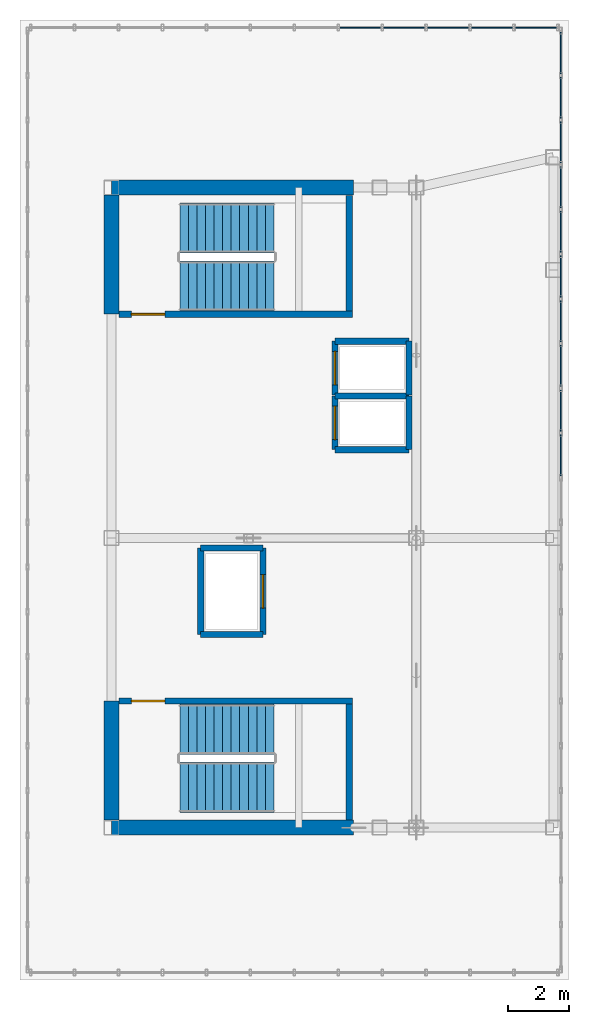
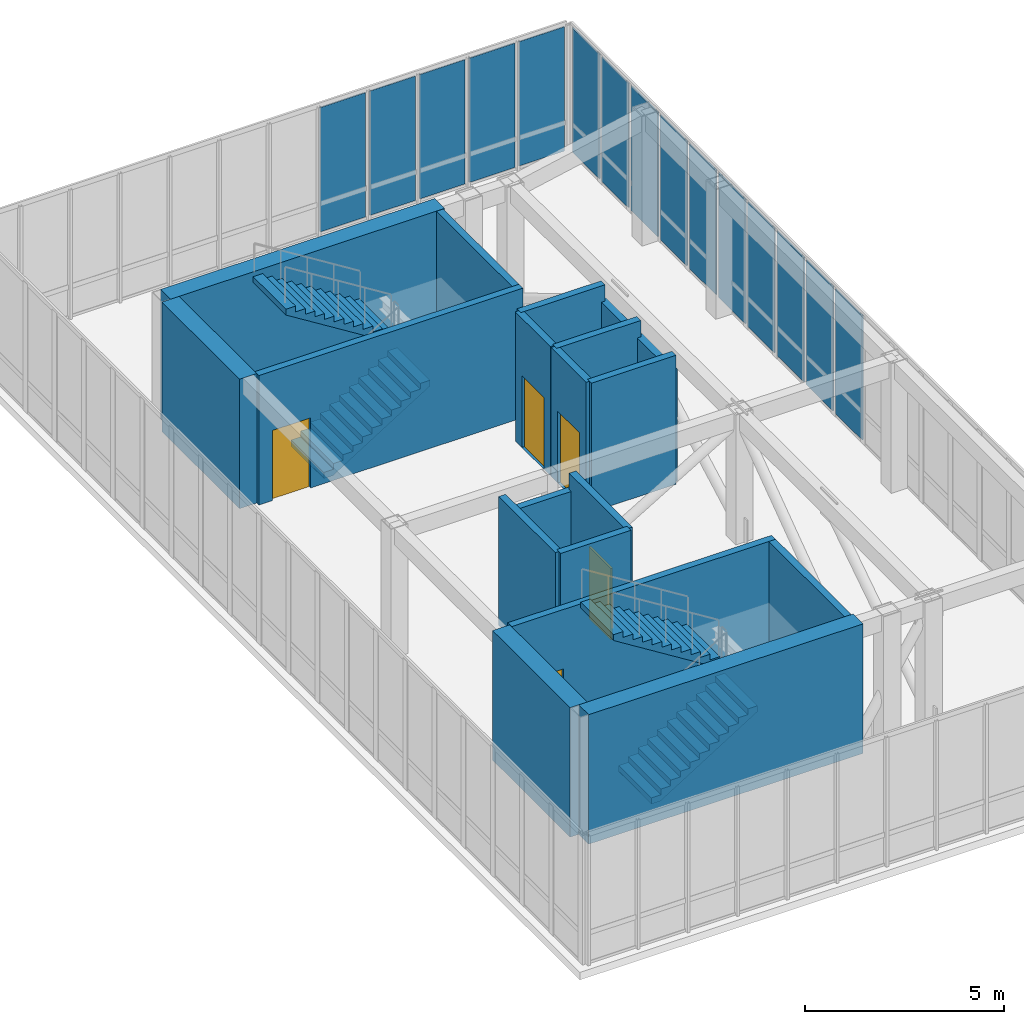
# One storey, part 12 of 13: 19 walls, 15 plates, 5 doors, 4 stair flights, 5 openings, 4 elements without a shape of their own.
"""IFC4 building model written with IfcOpenShell, lengths in metres."""

from ifc_helpers import new_model, si_unit, direction, frame, frame_2d, origin, origin_2d, place, context, subcontext, project, spatial, polyline, rectangle, outline, extrude, source, transform, mapped, material, layer, layer_set, type_object, element, fill, aggregate, save


model = new_model("IFC4")

# Units and contexts
model_context = context("Model", 3, precision=1e-05, world=origin(), true_north=direction((0.0, 1.0)))
body_context = subcontext(model_context, "Body", "Model", "MODEL_VIEW")
ifc_project = project(units=[si_unit("LENGTHUNIT", "METRE"), si_unit("AREAUNIT", "SQUARE_METRE"), si_unit("VOLUMEUNIT", "CUBIC_METRE"), si_unit("PLANEANGLEUNIT", "RADIAN"), si_unit("MASSUNIT", "GRAM", prefix="KILO")], contexts=[model_context])

# Site, building, storey
site_placement = place(None, origin())
site = spatial("IfcSite", under=ifc_project, at=site_placement, CompositionType="ELEMENT")
building_placement = place(site_placement, origin())
building = spatial("IfcBuilding", under=site, at=building_placement, Name="Kharzan Plaza Tower", CompositionType="ELEMENT")
storey_placement = place(building_placement, frame((0.0, 0.0, 277.199951171875)))
storey = spatial("IfcBuildingStorey", under=building, at=storey_placement, Name="L75-CROWN", CompositionType="ELEMENT", Elevation=277.199951171875)

# Curtain wall, plates
ifc_material_1 = material(Name="Unitised Bronze-Anodized Aluminium and Low-E Glass", Category="aluminium")
ifc_layer_1 = layer(ifc_material_1, 0.199951171875)
ifc_layer_set_1 = layer_set([ifc_layer_1], Name="Unitised Bronze-Anodized Aluminium and Low-E Glass")
curtain_wall_type = type_object("IfcCurtainWallType", Name="CW-LANTERN-6", PredefinedType="NOTDEFINED", material=ifc_layer_set_1)
curtain_wall_1_placement = place(storey_placement, origin())
curtain_wall_1 = element("IfcCurtainWall", 1, at=curtain_wall_1_placement, inside=storey, type_object=curtain_wall_type, Name="L75-CROWN Lantern Crown Illuminated Curtain Wall 3", PredefinedType="NOTDEFINED")
ifc_material_2 = material(Name="Low-Iron Fritted Lantern Crown Glazing", Category="glass")
ifc_layer_2 = layer(ifc_material_2, 0.035888671875)
ifc_layer_set_2 = layer_set([ifc_layer_2], Name="Low-Iron Fritted Lantern Crown Glazing")
plate_type = type_object("IfcPlateType", Name="PLT-CW-LANTERN", PredefinedType="CURTAIN_PANEL", material=ifc_layer_set_2)
shared_shape_1 = source(origin(), body_context, "Body", "SweptSolid", [
    extrude(rectangle(XDim=1.32177734375, YDim=0.035888671875, at=origin_2d()), origin(), (0.0, 0.0, 1.0), 3.81005859375),
])
plate_1_placement = place(storey_placement, frame((18.42919921875, 34.75, 0.080078125), z_axis=(0.0, 0.0, 1.0), x_axis=(-1.0, 0.0, 0.0)))
plate_1 = element("IfcPlate", 2, at=plate_1_placement, type_object=plate_type, Name="L75-CROWN Curtain-Wall Glazed Panel 00", PredefinedType="CURTAIN_PANEL", context=body_context, shape_type="MappedRepresentation", body=[
    mapped(shared_shape_1, transform((0.0, 0.0, 0.0), x_axis=(1.0, 0.0, 0.0), y_axis=(0.0, 1.0, 0.0), z_axis=(0.0, 0.0, 1.0))),
])
plate_2_placement = place(storey_placement, frame((16.987548828125, 34.75, 0.080078125), z_axis=(0.0, 0.0, 1.0), x_axis=(-1.0, 0.0, 0.0)))
plate_2 = element("IfcPlate", 3, at=plate_2_placement, type_object=plate_type, Name="L75-CROWN Curtain-Wall Glazed Panel 01", PredefinedType="CURTAIN_PANEL", context=body_context, shape_type="MappedRepresentation", body=[
    mapped(shared_shape_1, transform((0.0, 0.0, 0.0), x_axis=(1.0, 0.0, 0.0), y_axis=(0.0, 1.0, 0.0), z_axis=(0.0, 0.0, 1.0))),
])
plate_3_placement = place(storey_placement, frame((15.5458984375, 34.75, 0.080078125), z_axis=(0.0, 0.0, 1.0), x_axis=(-1.0, 0.0, 0.0)))
plate_3 = element("IfcPlate", 4, at=plate_3_placement, type_object=plate_type, Name="L75-CROWN Curtain-Wall Glazed Panel 02", PredefinedType="CURTAIN_PANEL", context=body_context, shape_type="MappedRepresentation", body=[
    mapped(shared_shape_1, transform((0.0, 0.0, 0.0), x_axis=(1.0, 0.0, 0.0), y_axis=(0.0, 1.0, 0.0), z_axis=(0.0, 0.0, 1.0))),
])
plate_4_placement = place(storey_placement, frame((14.104248046875, 34.75, 0.080078125), z_axis=(0.0, 0.0, 1.0), x_axis=(-1.0, 0.0, 0.0)))
plate_4 = element("IfcPlate", 5, at=plate_4_placement, type_object=plate_type, Name="L75-CROWN Curtain-Wall Glazed Panel 03", PredefinedType="CURTAIN_PANEL", context=body_context, shape_type="MappedRepresentation", body=[
    mapped(shared_shape_1, transform((0.0, 0.0, 0.0), x_axis=(1.0, 0.0, 0.0), y_axis=(0.0, 1.0, 0.0), z_axis=(0.0, 0.0, 1.0))),
])
plate_5_placement = place(storey_placement, frame((12.66259765625, 34.75, 0.080078125), z_axis=(0.0, 0.0, 1.0), x_axis=(-1.0, 0.0, 0.0)))
plate_5 = element("IfcPlate", 6, at=plate_5_placement, type_object=plate_type, Name="L75-CROWN Curtain-Wall Glazed Panel 04", PredefinedType="CURTAIN_PANEL", context=body_context, shape_type="MappedRepresentation", body=[
    mapped(shared_shape_1, transform((0.0, 0.0, 0.0), x_axis=(1.0, 0.0, 0.0), y_axis=(0.0, 1.0, 0.0), z_axis=(0.0, 0.0, 1.0))),
])
aggregate(curtain_wall_1, [plate_1, plate_2, plate_3, plate_4, plate_5])

curtain_wall_2_placement = place(storey_placement, origin())
curtain_wall_2 = element("IfcCurtainWall", 7, at=curtain_wall_2_placement, inside=storey, type_object=curtain_wall_type, Name="L75-CROWN Lantern Crown Illuminated Curtain Wall 2", PredefinedType="NOTDEFINED")
shared_shape_2 = source(origin(), body_context, "Body", "SweptSolid", [
    extrude(rectangle(XDim=1.3466796875, YDim=0.035888671875, at=origin_2d()), origin(), (0.0, 0.0, 1.0), 3.81005859375),
])
plate_6_placement = place(storey_placement, frame((19.25, 20.716796875, 0.080078125), z_axis=(0.0, 0.0, 1.0), x_axis=(0.0, 1.0, 0.0)))
plate_6 = element("IfcPlate", 8, at=plate_6_placement, type_object=plate_type, Name="L75-CROWN Curtain-Wall Glazed Panel 11", PredefinedType="CURTAIN_PANEL", context=body_context, shape_type="MappedRepresentation", body=[
    mapped(shared_shape_2, transform((0.0, 0.0, 0.0), x_axis=(1.0, 0.0, 0.0), y_axis=(0.0, 1.0, 0.0), z_axis=(0.0, 0.0, 1.0))),
])
plate_7_placement = place(storey_placement, frame((19.25, 22.183349609375, 0.080078125), z_axis=(0.0, 0.0, 1.0), x_axis=(0.0, 1.0, 0.0)))
plate_7 = element("IfcPlate", 9, at=plate_7_placement, type_object=plate_type, Name="L75-CROWN Curtain-Wall Glazed Panel 12", PredefinedType="CURTAIN_PANEL", context=body_context, shape_type="MappedRepresentation", body=[
    mapped(shared_shape_2, transform((0.0, 0.0, 0.0), x_axis=(1.0, 0.0, 0.0), y_axis=(0.0, 1.0, 0.0), z_axis=(0.0, 0.0, 1.0))),
])
plate_8_placement = place(storey_placement, frame((19.25, 23.64990234375, 0.080078125), z_axis=(0.0, 0.0, 1.0), x_axis=(0.0, 1.0, 0.0)))
plate_8 = element("IfcPlate", 10, at=plate_8_placement, type_object=plate_type, Name="L75-CROWN Curtain-Wall Glazed Panel 13", PredefinedType="CURTAIN_PANEL", context=body_context, shape_type="MappedRepresentation", body=[
    mapped(shared_shape_2, transform((0.0, 0.0, 0.0), x_axis=(1.0, 0.0, 0.0), y_axis=(0.0, 1.0, 0.0), z_axis=(0.0, 0.0, 1.0))),
])
plate_9_placement = place(storey_placement, frame((19.25, 25.11669921875, 0.080078125), z_axis=(0.0, 0.0, 1.0), x_axis=(0.0, 1.0, 0.0)))
plate_9 = element("IfcPlate", 11, at=plate_9_placement, type_object=plate_type, Name="L75-CROWN Curtain-Wall Glazed Panel 14", PredefinedType="CURTAIN_PANEL", context=body_context, shape_type="MappedRepresentation", body=[
    mapped(shared_shape_2, transform((0.0, 0.0, 0.0), x_axis=(1.0, 0.0, 0.0), y_axis=(0.0, 1.0, 0.0), z_axis=(0.0, 0.0, 1.0))),
])
plate_10_placement = place(storey_placement, frame((19.25, 26.583251953125, 0.080078125), z_axis=(0.0, 0.0, 1.0), x_axis=(0.0, 1.0, 0.0)))
plate_10 = element("IfcPlate", 12, at=plate_10_placement, type_object=plate_type, Name="L75-CROWN Curtain-Wall Glazed Panel 15", PredefinedType="CURTAIN_PANEL", context=body_context, shape_type="MappedRepresentation", body=[
    mapped(shared_shape_2, transform((0.0, 0.0, 0.0), x_axis=(1.0, 0.0, 0.0), y_axis=(0.0, 1.0, 0.0), z_axis=(0.0, 0.0, 1.0))),
])
plate_11_placement = place(storey_placement, frame((19.25, 28.050048828125, 0.080078125), z_axis=(0.0, 0.0, 1.0), x_axis=(0.0, 1.0, 0.0)))
plate_11 = element("IfcPlate", 13, at=plate_11_placement, type_object=plate_type, Name="L75-CROWN Curtain-Wall Glazed Panel 16", PredefinedType="CURTAIN_PANEL", context=body_context, shape_type="MappedRepresentation", body=[
    mapped(shared_shape_2, transform((0.0, 0.0, 0.0), x_axis=(1.0, 0.0, 0.0), y_axis=(0.0, 1.0, 0.0), z_axis=(0.0, 0.0, 1.0))),
])
plate_12_placement = place(storey_placement, frame((19.25, 29.5166015625, 0.080078125), z_axis=(0.0, 0.0, 1.0), x_axis=(0.0, 1.0, 0.0)))
plate_12 = element("IfcPlate", 14, at=plate_12_placement, type_object=plate_type, Name="L75-CROWN Curtain-Wall Glazed Panel 17", PredefinedType="CURTAIN_PANEL", context=body_context, shape_type="MappedRepresentation", body=[
    mapped(shared_shape_2, transform((0.0, 0.0, 0.0), x_axis=(1.0, 0.0, 0.0), y_axis=(0.0, 1.0, 0.0), z_axis=(0.0, 0.0, 1.0))),
])
plate_13_placement = place(storey_placement, frame((19.25, 30.9833984375, 0.080078125), z_axis=(0.0, 0.0, 1.0), x_axis=(0.0, 1.0, 0.0)))
plate_13 = element("IfcPlate", 15, at=plate_13_placement, type_object=plate_type, Name="L75-CROWN Curtain-Wall Glazed Panel 18", PredefinedType="CURTAIN_PANEL", context=body_context, shape_type="MappedRepresentation", body=[
    mapped(shared_shape_2, transform((0.0, 0.0, 0.0), x_axis=(1.0, 0.0, 0.0), y_axis=(0.0, 1.0, 0.0), z_axis=(0.0, 0.0, 1.0))),
])
plate_14_placement = place(storey_placement, frame((19.25, 32.449951171875, 0.080078125), z_axis=(0.0, 0.0, 1.0), x_axis=(0.0, 1.0, 0.0)))
plate_14 = element("IfcPlate", 16, at=plate_14_placement, type_object=plate_type, Name="L75-CROWN Curtain-Wall Glazed Panel 19", PredefinedType="CURTAIN_PANEL", context=body_context, shape_type="MappedRepresentation", body=[
    mapped(shared_shape_2, transform((0.0, 0.0, 0.0), x_axis=(1.0, 0.0, 0.0), y_axis=(0.0, 1.0, 0.0), z_axis=(0.0, 0.0, 1.0))),
])
plate_15_placement = place(storey_placement, frame((19.25, 33.916748046875, 0.080078125), z_axis=(0.0, 0.0, 1.0), x_axis=(0.0, 1.0, 0.0)))
plate_15 = element("IfcPlate", 17, at=plate_15_placement, type_object=plate_type, Name="L75-CROWN Curtain-Wall Glazed Panel 20", PredefinedType="CURTAIN_PANEL", context=body_context, shape_type="MappedRepresentation", body=[
    mapped(shared_shape_2, transform((0.0, 0.0, 0.0), x_axis=(1.0, 0.0, 0.0), y_axis=(0.0, 1.0, 0.0), z_axis=(0.0, 0.0, 1.0))),
])
aggregate(curtain_wall_2, [plate_6, plate_7, plate_8, plate_9, plate_10, plate_11, plate_12, plate_13, plate_14, plate_15])

# Wall, opening, door
ifc_material_3 = material(Name="Concrete C40/50", Category="concrete")
ifc_layer_3 = layer(ifc_material_3, 0.199951171875)
ifc_layer_set_3 = layer_set([ifc_layer_3], Name="Concrete C40/50")
wall_type_1 = type_object("IfcWallType", Name="WL-INT-SHAFT-200", PredefinedType="PARTITIONING", material=ifc_layer_set_3)
wall_1_placement = place(storey_placement, frame((11.830078125, 20.89990234375, 0.0), z_axis=(0.0, 0.0, 1.0), x_axis=(0.0, 1.0, 0.0)))
wall_1 = element("IfcWall", 18, at=wall_1_placement, inside=storey, type_object=wall_type_1, Name="L75-CROWN Interior Partition SHF-FFL-1-W", PredefinedType="PARTITIONING", context=body_context, shape_type="SweptSolid", body=[
    extrude(rectangle(XDim=1.760009765625, YDim=0.199951171875, at=frame_2d((0.8798828125, 0.0))), origin(), (0.0, 0.0, 1.0), 3.955078125),
])
opening_1_placement = place(wall_1_placement, frame((0.330078125, 0.0, 0.0)))
opening_1 = element("IfcOpeningElement", 19, at=opening_1_placement, cuts=wall_1, Name="Opening LD", PredefinedType="OPENING", context=body_context, shape_type="SweptSolid", body=[
    extrude(rectangle(XDim=1.10009765625, YDim=2.199951171875, at=frame_2d((0.550048828125, 1.10009765625))), frame((0.0, 0.10986328125, 0.0), z_axis=(0.0, -1.0, 0.0), x_axis=(1.0, 0.0, 0.0)), (0.0, 0.0, 1.0), 0.219970703125),
])
ifc_material_4 = material(Name="Brushed Stainless Steel", Category="steel")
door_type_1 = type_object("IfcDoorType", Name="DR-LIFT-SLIDE", OperationType="SLIDING_TO_LEFT", PredefinedType="DOOR", material=ifc_material_4)
shared_shape_3 = source(origin(), body_context, "Body", "SweptSolid", [
    extrude(rectangle(XDim=1.10009765625, YDim=2.199951171875, at=frame_2d((0.550048828125, 1.10009765625))), frame((0.0, 0.02490234375, 0.0), z_axis=(0.0, -1.0, 0.0), x_axis=(1.0, 0.0, 0.0)), (0.0, 0.0, 1.0), 0.050048828125),
])
door_1_placement = place(opening_1_placement, origin())
door_1 = element("IfcDoor", 20, at=door_1_placement, inside=storey, type_object=door_type_1, Name="L75-CROWN Firefighting Lift FFL-1 Sliding Landing Door", OperationType="SLIDING_TO_LEFT", OverallHeight=2.199951171875, OverallWidth=1.10009765625, PredefinedType="DOOR", context=body_context, shape_type="MappedRepresentation", body=[
    mapped(shared_shape_3, transform((0.0, 0.0, 0.0), x_axis=(1.0, 0.0, 0.0), y_axis=(0.0, 1.0, 0.0), z_axis=(0.0, 0.0, 1.0))),
])
fill(opening_1, door_1)

wall_2_placement = place(storey_placement, frame((11.830078125, 22.699951171875, 0.0), z_axis=(0.0, 0.0, 1.0), x_axis=(0.0, 1.0, 0.0)))
wall_2 = element("IfcWall", 21, at=wall_2_placement, inside=storey, type_object=wall_type_1, Name="L75-CROWN Interior Partition SHF-FFL-2-W", PredefinedType="PARTITIONING", context=body_context, shape_type="SweptSolid", body=[
    extrude(rectangle(XDim=1.760009765625, YDim=0.199951171875, at=frame_2d((0.8798828125, 0.0))), origin(), (0.0, 0.0, 1.0), 3.955078125),
])
opening_2_placement = place(wall_2_placement, frame((0.330078125, 0.0, 0.0)))
opening_2 = element("IfcOpeningElement", 22, at=opening_2_placement, cuts=wall_2, Name="Opening LD", PredefinedType="OPENING", context=body_context, shape_type="SweptSolid", body=[
    extrude(rectangle(XDim=1.10009765625, YDim=2.199951171875, at=frame_2d((0.550048828125, 1.10009765625))), frame((0.0, 0.10986328125, 0.0), z_axis=(0.0, -1.0, 0.0), x_axis=(1.0, 0.0, 0.0)), (0.0, 0.0, 1.0), 0.219970703125),
])
door_2_placement = place(opening_2_placement, origin())
door_2 = element("IfcDoor", 23, at=door_2_placement, inside=storey, type_object=door_type_1, Name="L75-CROWN Firefighting Lift FFL-2 Sliding Landing Door", OperationType="SLIDING_TO_LEFT", OverallHeight=2.199951171875, OverallWidth=1.10009765625, PredefinedType="DOOR", context=body_context, shape_type="MappedRepresentation", body=[
    mapped(shared_shape_3, transform((0.0, 0.0, 0.0), x_axis=(1.0, 0.0, 0.0), y_axis=(0.0, 1.0, 0.0), z_axis=(0.0, 0.0, 1.0))),
])
fill(opening_2, door_2)

wall_3_placement = place(storey_placement, frame((9.469970703125, 14.830078125, 0.0), z_axis=(0.0, 0.0, 1.0), x_axis=(0.0, 1.0, 0.0)))
wall_3 = element("IfcWall", 24, at=wall_3_placement, inside=storey, type_object=wall_type_1, Name="L75-CROWN Interior Partition SHF-SVL-1-E", PredefinedType="PARTITIONING", context=body_context, shape_type="SweptSolid", body=[
    extrude(rectangle(XDim=2.83984375, YDim=0.199951171875, at=frame_2d((1.419921875, 0.0))), origin(), (0.0, 0.0, 1.0), 3.955078125),
])
opening_3_placement = place(wall_3_placement, frame((0.8701171875, 0.0, 0.0)))
opening_3 = element("IfcOpeningElement", 25, at=opening_3_placement, cuts=wall_3, Name="Opening LD", PredefinedType="OPENING", context=body_context, shape_type="SweptSolid", body=[
    extrude(rectangle(XDim=1.10009765625, YDim=2.199951171875, at=frame_2d((0.550048828125, 1.10009765625))), frame((0.0, 0.10986328125, 0.0), z_axis=(0.0, -1.0, 0.0), x_axis=(1.0, 0.0, 0.0)), (0.0, 0.0, 1.0), 0.219970703125),
])
door_3_placement = place(opening_3_placement, origin())
door_3 = element("IfcDoor", 26, at=door_3_placement, inside=storey, type_object=door_type_1, Name="L75-CROWN Service Lift SVL-1 Sliding Landing Door", OperationType="SLIDING_TO_LEFT", OverallHeight=2.199951171875, OverallWidth=1.10009765625, PredefinedType="DOOR", context=body_context, shape_type="MappedRepresentation", body=[
    mapped(shared_shape_3, transform((0.0, 0.0, 0.0), x_axis=(1.0, 0.0, 0.0), y_axis=(0.0, 1.0, 0.0), z_axis=(0.0, 0.0, 1.0))),
])
fill(opening_3, door_3)

ifc_material_5 = material(Name="Concrete C50/60", Category="concrete")
ifc_layer_4 = layer(ifc_material_5, 0.199951171875)
ifc_layer_set_4 = layer_set([ifc_layer_4], Name="Concrete C50/60")
wall_type_2 = type_object("IfcWallType", Name="WL-SHAFT-RC200", PredefinedType="SHEAR", material=ifc_layer_set_4)
wall_4_placement = place(storey_placement, frame((4.751953125, 12.655029296875, 0.0), z_axis=(0.0, 0.0, 1.0), x_axis=(1.0, 0.0, 0.0)))
wall_4 = element("IfcWall", 27, at=wall_4_placement, inside=storey, type_object=wall_type_2, Name="L75-CROWN Stair ST-1 North RC Shaft Wall", PredefinedType="SHEAR", context=body_context, shape_type="SweptSolid", body=[
    extrude(rectangle(XDim=7.653076171875, YDim=0.199951171875, at=frame_2d((3.82666015625, 0.0))), origin(), (0.0, 0.0, 1.0), 3.969970703125),
])
opening_4_placement = place(wall_4_placement, frame((0.39990234375, 0.0, 0.0)))
opening_4 = element("IfcOpeningElement", 28, at=opening_4_placement, cuts=wall_4, Name="Opening SD1", PredefinedType="OPENING", context=body_context, shape_type="SweptSolid", body=[
    extrude(rectangle(XDim=1.10009765625, YDim=2.14990234375, at=frame_2d((0.550048828125, 1.074951171875))), frame((0.0, 0.10986328125, 0.0), z_axis=(0.0, -1.0, 0.0), x_axis=(1.0, 0.0, 0.0)), (0.0, 0.0, 1.0), 0.219970703125),
])
ifc_material_6 = material(Name="Fire-Rated Hollow Galvanized Steel", Category="steel")
door_type_2 = type_object("IfcDoorType", Name="DR-STAIR-FD120", OperationType="NOTDEFINED", PredefinedType="DOOR", material=ifc_material_6)
shared_shape_4 = source(origin(), body_context, "Body", "SweptSolid", [
    extrude(rectangle(XDim=1.10009765625, YDim=2.14990234375, at=frame_2d((0.550048828125, 1.074951171875))), frame((0.0, 0.02490234375, 0.0), z_axis=(0.0, -1.0, 0.0), x_axis=(1.0, 0.0, 0.0)), (0.0, 0.0, 1.0), 0.050048828125),
])
door_4_placement = place(opening_4_placement, origin())
door_4 = element("IfcDoor", 29, at=door_4_placement, inside=storey, type_object=door_type_2, Name="L75-CROWN Stair ST-1 Fire Exit Door", OperationType="SINGLE_SWING_RIGHT", OverallHeight=2.14990234375, OverallWidth=1.10009765625, PredefinedType="DOOR", context=body_context, shape_type="MappedRepresentation", body=[
    mapped(shared_shape_4, transform((0.0, 0.0, 0.0), x_axis=(1.0, 0.0, 0.0), y_axis=(0.0, 1.0, 0.0), z_axis=(0.0, 0.0, 1.0))),
])
fill(opening_4, door_4)

wall_5_placement = place(storey_placement, frame((4.751953125, 25.344970703125, 0.0), z_axis=(0.0, 0.0, 1.0), x_axis=(1.0, 0.0, 0.0)))
wall_5 = element("IfcWall", 30, at=wall_5_placement, inside=storey, type_object=wall_type_2, Name="L75-CROWN Stair ST-2 South RC Shaft Wall", PredefinedType="SHEAR", context=body_context, shape_type="SweptSolid", body=[
    extrude(rectangle(XDim=7.653076171875, YDim=0.199951171875, at=frame_2d((3.82666015625, 0.0))), origin(), (0.0, 0.0, 1.0), 3.969970703125),
])
opening_5_placement = place(wall_5_placement, frame((0.39990234375, 0.0, 0.0)))
opening_5 = element("IfcOpeningElement", 31, at=opening_5_placement, cuts=wall_5, Name="Opening SD1", PredefinedType="OPENING", context=body_context, shape_type="SweptSolid", body=[
    extrude(rectangle(XDim=1.10009765625, YDim=2.14990234375, at=frame_2d((0.550048828125, 1.074951171875))), frame((0.0, 0.10986328125, 0.0), z_axis=(0.0, -1.0, 0.0), x_axis=(1.0, 0.0, 0.0)), (0.0, 0.0, 1.0), 0.219970703125),
])
door_5_placement = place(opening_5_placement, origin())
door_5 = element("IfcDoor", 32, at=door_5_placement, inside=storey, type_object=door_type_2, Name="L75-CROWN Stair ST-2 Fire Exit Door", OperationType="SINGLE_SWING_LEFT", OverallHeight=2.14990234375, OverallWidth=1.10009765625, PredefinedType="DOOR", context=body_context, shape_type="MappedRepresentation", body=[
    mapped(shared_shape_4, transform((0.0, 0.0, 0.0), x_axis=(1.0, 0.0, 0.0), y_axis=(0.0, 1.0, 0.0), z_axis=(0.0, 0.0, 1.0))),
])
fill(opening_5, door_5)

# Walls
ifc_layer_5 = layer(ifc_material_5, 0.5)
ifc_layer_set_5 = layer_set([ifc_layer_5], Name="Concrete C50/60")
wall_type_3 = type_object("IfcWallType", Name="WL-CORE-500", PredefinedType="SHEAR", material=ifc_layer_set_5)
shared_shape_5 = source(origin(), body_context, "Body", "SweptSolid", [
    extrude(rectangle(XDim=7.949951171875, YDim=0.5, at=frame_2d((3.97509765625, 0.0))), origin(), (0.0, 0.0, 1.0), 3.969970703125),
])
for number, where, z_axis, x_axis, name in (
    (33, (4.5, 8.5, 0.0), (0.0, 0.0, 1.0), (1.0, 0.0, 0.0), "L75-CROWN Stair ST-1 South RC Shear Wall"),
    (34, (4.5, 29.5, 0.0), (0.0, 0.0, 1.0), (1.0, 0.0, 0.0), "L75-CROWN Stair ST-2 North RC Shear Wall"),
):
    element("IfcWall", number, at=place(storey_placement, frame(where, z_axis=z_axis, x_axis=x_axis)), inside=storey, type_object=wall_type_3, Name=name, PredefinedType="SHEAR", context=body_context, shape_type="MappedRepresentation", body=[
        mapped(shared_shape_5, transform((0.0, 0.0, 0.0), x_axis=(1.0, 0.0, 0.0), y_axis=(0.0, 1.0, 0.0), z_axis=(0.0, 0.0, 1.0))),
    ])
shared_shape_6 = source(origin(), body_context, "Body", "SweptSolid", [
    extrude(rectangle(XDim=3.89990234375, YDim=0.5, at=frame_2d((1.949951171875, 0.0))), origin(), (0.0, 0.0, 1.0), 3.969970703125),
])
for number, where, z_axis, x_axis, name in (
    (35, (4.5, 8.75, 0.0), (0.0, 0.0, 1.0), (0.0, 1.0, 0.0), "L75-CROWN Stair ST-1 West RC Shear Wall"),
    (36, (4.5, 25.35009765625, 0.0), (0.0, 0.0, 1.0), (0.0, 1.0, 0.0), "L75-CROWN Stair ST-2 West RC Shear Wall"),
):
    element("IfcWall", number, at=place(storey_placement, frame(where, z_axis=z_axis, x_axis=x_axis)), inside=storey, type_object=wall_type_3, Name=name, PredefinedType="SHEAR", context=body_context, shape_type="MappedRepresentation", body=[
        mapped(shared_shape_6, transform((0.0, 0.0, 0.0), x_axis=(1.0, 0.0, 0.0), y_axis=(0.0, 1.0, 0.0), z_axis=(0.0, 0.0, 1.0))),
    ])
shared_shape_7 = source(origin(), body_context, "Body", "SweptSolid", [
    extrude(rectangle(XDim=1.760009765625, YDim=0.199951171875, at=frame_2d((0.8798828125, 0.0))), origin(), (0.0, 0.0, 1.0), 3.455078125),
])
for number, where, z_axis, x_axis, name in (
    (37, (14.27001953125, 20.89990234375, 0.0), (0.0, 0.0, 1.0), (0.0, 1.0, 0.0), "L75-CROWN Interior Partition SHF-FFL-1-E"),
    (38, (14.27001953125, 22.699951171875, 0.0), (0.0, 0.0, 1.0), (0.0, 1.0, 0.0), "L75-CROWN Interior Partition SHF-FFL-2-E"),
):
    element("IfcWall", number, at=place(storey_placement, frame(where, z_axis=z_axis, x_axis=x_axis)), inside=storey, type_object=wall_type_1, Name=name, PredefinedType="PARTITIONING", context=body_context, shape_type="MappedRepresentation", body=[
        mapped(shared_shape_7, transform((0.0, 0.0, 0.0), x_axis=(1.0, 0.0, 0.0), y_axis=(0.0, 1.0, 0.0), z_axis=(0.0, 0.0, 1.0))),
    ])
shared_shape_8 = source(origin(), body_context, "Body", "SweptSolid", [
    extrude(rectangle(XDim=2.43994140625, YDim=0.199951171875, at=frame_2d((1.219970703125, 0.0))), origin(), (0.0, 0.0, 1.0), 3.955078125),
])
for number, where, z_axis, x_axis, name in (
    (39, (11.830078125, 22.659912109375, 0.0), (0.0, 0.0, 1.0), (1.0, 0.0, 0.0), "L75-CROWN Interior Partition SHF-FFL-1-N"),
    (40, (11.830078125, 20.89990234375, 0.0), (0.0, 0.0, 1.0), (1.0, 0.0, 0.0), "L75-CROWN Interior Partition SHF-FFL-1-S"),
    (41, (11.830078125, 24.4599609375, 0.0), (0.0, 0.0, 1.0), (1.0, 0.0, 0.0), "L75-CROWN Interior Partition SHF-FFL-2-N"),
):
    element("IfcWall", number, at=place(storey_placement, frame(where, z_axis=z_axis, x_axis=x_axis)), inside=storey, type_object=wall_type_1, Name=name, PredefinedType="PARTITIONING", context=body_context, shape_type="MappedRepresentation", body=[
        mapped(shared_shape_8, transform((0.0, 0.0, 0.0), x_axis=(1.0, 0.0, 0.0), y_axis=(0.0, 1.0, 0.0), z_axis=(0.0, 0.0, 1.0))),
    ])
shared_shape_9 = source(origin(), body_context, "Body", "SweptSolid", [
    extrude(rectangle(XDim=2.0400390625, YDim=0.199951171875, at=frame_2d((1.02001953125, 0.0))), origin(), (0.0, 0.0, 1.0), 3.455078125),
])
wall_6_placement = place(storey_placement, frame((7.429931640625, 17.669921875, 0.0), z_axis=(0.0, 0.0, 1.0), x_axis=(1.0, 0.0, 0.0)))
element("IfcWall", 42, at=wall_6_placement, inside=storey, type_object=wall_type_1, Name="L75-CROWN Interior Partition SHF-SVL-1-N", PredefinedType="PARTITIONING", context=body_context, shape_type="MappedRepresentation", body=[
    mapped(shared_shape_9, transform((0.0, 0.0, 0.0), x_axis=(1.0, 0.0, 0.0), y_axis=(0.0, 1.0, 0.0), z_axis=(0.0, 0.0, 1.0))),
])
shared_shape_10 = source(origin(), body_context, "Body", "SweptSolid", [
    extrude(rectangle(XDim=2.0400390625, YDim=0.199951171875, at=frame_2d((1.02001953125, 0.0))), origin(), (0.0, 0.0, 1.0), 3.955078125),
])
wall_7_placement = place(storey_placement, frame((7.429931640625, 14.830078125, 0.0), z_axis=(0.0, 0.0, 1.0), x_axis=(1.0, 0.0, 0.0)))
element("IfcWall", 43, at=wall_7_placement, inside=storey, type_object=wall_type_1, Name="L75-CROWN Interior Partition SHF-SVL-1-S", PredefinedType="PARTITIONING", context=body_context, shape_type="MappedRepresentation", body=[
    mapped(shared_shape_10, transform((0.0, 0.0, 0.0), x_axis=(1.0, 0.0, 0.0), y_axis=(0.0, 1.0, 0.0), z_axis=(0.0, 0.0, 1.0))),
])
shared_shape_11 = source(origin(), body_context, "Body", "SweptSolid", [
    extrude(rectangle(XDim=2.83984375, YDim=0.199951171875, at=frame_2d((1.419921875, 0.0))), origin(), (0.0, 0.0, 1.0), 3.955078125),
])
wall_8_placement = place(storey_placement, frame((7.429931640625, 14.830078125, 0.0), z_axis=(0.0, 0.0, 1.0), x_axis=(0.0, 1.0, 0.0)))
element("IfcWall", 44, at=wall_8_placement, inside=storey, type_object=wall_type_1, Name="L75-CROWN Interior Partition SHF-SVL-1-W", PredefinedType="PARTITIONING", context=body_context, shape_type="MappedRepresentation", body=[
    mapped(shared_shape_11, transform((0.0, 0.0, 0.0), x_axis=(1.0, 0.0, 0.0), y_axis=(0.0, 1.0, 0.0), z_axis=(0.0, 0.0, 1.0))),
])
shared_shape_12 = source(origin(), body_context, "Body", "SweptSolid", [
    extrude(rectangle(XDim=3.802978515625, YDim=0.199951171875, at=frame_2d((1.9013671875, 0.0))), origin(), (0.0, 0.0, 1.0), 3.969970703125),
])
for number, where, z_axis, x_axis, name in (
    (45, (12.304931640625, 8.751953125, 0.0), (0.0, 0.0, 1.0), (0.0, 1.0, 0.0), "L75-CROWN Stair ST-1 East RC Shaft Wall"),
    (46, (12.304931640625, 25.445068359375, 0.0), (0.0, 0.0, 1.0), (0.0, 1.0, 0.0), "L75-CROWN Stair ST-2 East RC Shaft Wall"),
):
    element("IfcWall", number, at=place(storey_placement, frame(where, z_axis=z_axis, x_axis=x_axis)), inside=storey, type_object=wall_type_2, Name=name, PredefinedType="SHEAR", context=body_context, shape_type="MappedRepresentation", body=[
        mapped(shared_shape_12, transform((0.0, 0.0, 0.0), x_axis=(1.0, 0.0, 0.0), y_axis=(0.0, 1.0, 0.0), z_axis=(0.0, 0.0, 1.0))),
    ])

# Stair, stair flights
stair_type_1 = type_object("IfcStairType", Name="STR-ST-1", PredefinedType="HALF_TURN_STAIR", material=ifc_material_3)
stair_1_placement = place(storey_placement, origin())
stair_1 = element("IfcStair", 47, at=stair_1_placement, inside=storey, type_object=stair_type_1, Name="L75-CROWN Protected Exit Stair ST-1", PredefinedType="HALF_TURN_STAIR")
stair_flight_type = type_object("IfcStairFlightType", Name="SFL-1650-R173", PredefinedType="STRAIGHT", material=ifc_material_3)
shared_shape_13 = source(origin(), body_context, "Body", "SweptSolid", [
    extrude(outline(polyline([(-0.0029296875, -0.011962890625), (-0.0029296875, 0.0), (0.0, 0.0), (0.0, 0.175048828125), (0.280029296875, 0.175048828125), (0.280029296875, 0.35009765625), (0.56005859375, 0.35009765625), (0.56005859375, 0.525146484375), (0.840087890625, 0.525146484375), (0.840087890625, 0.7001953125), (1.1201171875, 0.7001953125), (1.1201171875, 0.875244140625), (1.400146484375, 0.875244140625), (1.400146484375, 1.05029296875), (1.68017578125, 1.05029296875), (1.68017578125, 1.225341796875), (1.960205078125, 1.225341796875), (1.960205078125, 1.400390625), (2.240234375, 1.400390625), (2.240234375, 1.575439453125), (2.520263671875, 1.575439453125), (2.520263671875, 1.75048828125), (2.80029296875, 1.75048828125), (2.80029296875, 1.925537109375), (3.080322265625, 1.925537109375), (3.080322265625, 2.1005859375), (3.080322265625, 1.748779296875), (0.28271484375, 0.0), (0.28271484375, -0.011962890625), (-0.0029296875, -0.011962890625)])), frame((0.0, 0.824951171875, 0.0), z_axis=(0.0, -1.0, 0.0), x_axis=(1.0, 0.0, 0.0)), (0.0, 0.0, 1.0), 1.64990234375),
])
stair_flight_1_placement = place(storey_placement, frame((6.75, 9.824951171875, 0.0), z_axis=(0.0, 0.0, 1.0), x_axis=(1.0, 0.0, 0.0)))
stair_flight_1 = element("IfcStairFlight", 48, at=stair_flight_1_placement, type_object=stair_flight_type, Name="ST-1 flight 1", NumberOfRisers=12, NumberOfTreads=11, PredefinedType="STRAIGHT", RiserHeight=0.175, TreadLength=0.28, context=body_context, shape_type="MappedRepresentation", body=[
    mapped(shared_shape_13, transform((0.0, 0.0, 0.0), x_axis=(1.0, 0.0, 0.0), y_axis=(0.0, 1.0, 0.0), z_axis=(0.0, 0.0, 1.0))),
])
stair_flight_2_placement = place(storey_placement, frame((9.830078125, 11.72509765625, 2.10009765625), z_axis=(0.0, 0.0, 1.0), x_axis=(-1.0, 0.0, 0.0)))
stair_flight_2 = element("IfcStairFlight", 49, at=stair_flight_2_placement, type_object=stair_flight_type, Name="ST-1 flight 2", NumberOfRisers=12, NumberOfTreads=11, PredefinedType="STRAIGHT", RiserHeight=0.175, TreadLength=0.28, context=body_context, shape_type="MappedRepresentation", body=[
    mapped(shared_shape_13, transform((0.0, 0.0, 0.0), x_axis=(1.0, 0.0, 0.0), y_axis=(0.0, 1.0, 0.0), z_axis=(0.0, 0.0, 1.0))),
])
aggregate(stair_1, [stair_flight_1, stair_flight_2])

stair_type_2 = type_object("IfcStairType", Name="STR-ST-2", PredefinedType="HALF_TURN_STAIR", material=ifc_material_3)
stair_2_placement = place(storey_placement, origin())
stair_2 = element("IfcStair", 50, at=stair_2_placement, inside=storey, type_object=stair_type_2, Name="L75-CROWN Protected Exit Stair ST-2", PredefinedType="HALF_TURN_STAIR")
stair_flight_3_placement = place(storey_placement, frame((6.75, 26.27490234375, 0.0), z_axis=(0.0, 0.0, 1.0), x_axis=(1.0, 0.0, 0.0)))
stair_flight_3 = element("IfcStairFlight", 51, at=stair_flight_3_placement, type_object=stair_flight_type, Name="ST-2 flight 1", NumberOfRisers=12, NumberOfTreads=11, PredefinedType="STRAIGHT", RiserHeight=0.175, TreadLength=0.28, context=body_context, shape_type="MappedRepresentation", body=[
    mapped(shared_shape_13, transform((0.0, 0.0, 0.0), x_axis=(1.0, 0.0, 0.0), y_axis=(0.0, 1.0, 0.0), z_axis=(0.0, 0.0, 1.0))),
])
stair_flight_4_placement = place(storey_placement, frame((9.830078125, 28.175048828125, 2.10009765625), z_axis=(0.0, 0.0, 1.0), x_axis=(-1.0, 0.0, 0.0)))
stair_flight_4 = element("IfcStairFlight", 52, at=stair_flight_4_placement, type_object=stair_flight_type, Name="ST-2 flight 2", NumberOfRisers=12, NumberOfTreads=11, PredefinedType="STRAIGHT", RiserHeight=0.175, TreadLength=0.28, context=body_context, shape_type="MappedRepresentation", body=[
    mapped(shared_shape_13, transform((0.0, 0.0, 0.0), x_axis=(1.0, 0.0, 0.0), y_axis=(0.0, 1.0, 0.0), z_axis=(0.0, 0.0, 1.0))),
])
aggregate(stair_2, [stair_flight_3, stair_flight_4])

save(model, "model.ifc")
